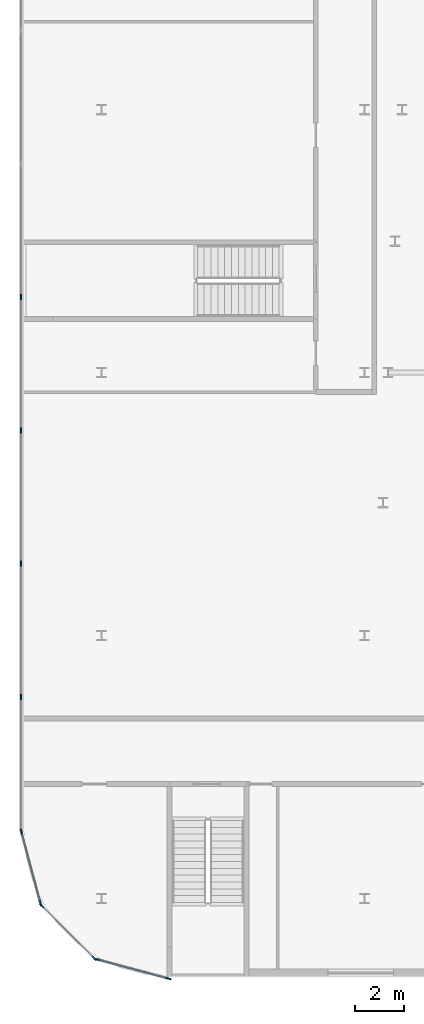
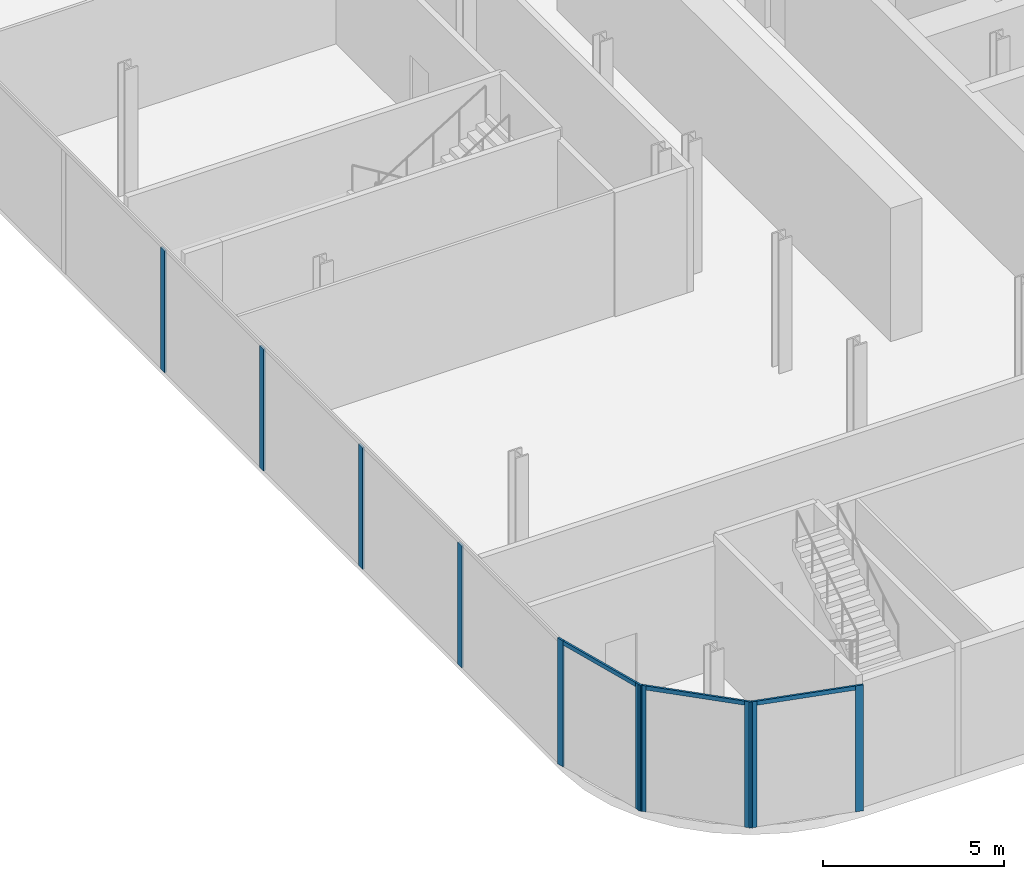
# One storey, part 6 of 47: 13 members, 4 elements without a shape of their own.
"""IFC4 building model written with IfcOpenShell, lengths in metres."""

from ifc_helpers import new_model, si_unit, direction, frame, origin, origin_2d, place, context, subcontext, project, spatial, rectangle, extrude, material, layer, layer_set, material_profile, profile_set, type_object, element, aggregate, save


model = new_model("IFC4")

# Units and contexts
model_context = context("Model", 3, precision=1e-05, world=origin(), true_north=direction((0.0, 1.0)))
body_context = subcontext(model_context, "Body", "Model", "MODEL_VIEW")
ifc_project = project(units=[si_unit("LENGTHUNIT", "METRE"), si_unit("AREAUNIT", "SQUARE_METRE"), si_unit("VOLUMEUNIT", "CUBIC_METRE"), si_unit("PLANEANGLEUNIT", "RADIAN"), si_unit("MASSUNIT", "GRAM", prefix="KILO")], contexts=[model_context])

# Site, building, storey
site_placement = place(None, origin())
site = spatial("IfcSite", under=ifc_project, at=site_placement, CompositionType="ELEMENT")
building_placement = place(site_placement, origin())
building = spatial("IfcBuilding", under=site, at=building_placement, Name="Kheshtan School and Residences Tower", CompositionType="ELEMENT")
storey_placement = place(building_placement, frame((0.0, 0.0, 12.5)))
storey = spatial("IfcBuildingStorey", under=building, at=storey_placement, Name="L02", CompositionType="ELEMENT", Elevation=12.5)

# Curtain wall, members
ifc_material_1 = material(Name="Clear low-e glass in thermally broken aluminium frame", Category="aluminium")
ifc_layer = layer(ifc_material_1, 0.22509765625)
ifc_layer_set = layer_set([ifc_layer], Name="Curtain wall CW-P")
curtain_wall_type = type_object("IfcCurtainWallType", Name="Curtain wall CW-P", PredefinedType="NOTDEFINED", material=ifc_layer_set)
curtain_wall_1_placement = place(storey_placement, origin())
curtain_wall_1 = element("IfcCurtainWall", 1, at=curtain_wall_1_placement, inside=storey, type_object=curtain_wall_type, Name="Curtain wall CWP13a", PredefinedType="NOTDEFINED")
ifc_material_2 = material(Name="Thermally broken aluminium, dark bronze anodised", Category="aluminium")
ifc_material_profile_1 = material_profile(ifc_material_2, rectangle(XDim=0.06005859375, YDim=0.22509765625, at=origin_2d()), Name="CW-P mullion 60x225")
ifc_profile_set_1 = profile_set([ifc_material_profile_1], Name="Thermally broken aluminium, dark bronze anodised")
member_type_1 = type_object("IfcMemberType", Name="CW-P mullion 60x225", PredefinedType="MULLION", material=ifc_profile_set_1)
member_1_placement = place(storey_placement, frame((17.945068359375, 9.9111328125, 0.0), z_axis=(0.0, 0.0, 1.0), x_axis=(-0.258864833085, -0.965913556273, 0.0)))
member_1 = element("IfcMember", 2, at=member_1_placement, type_object=member_type_1, Name="CWP13a mullion 1", PredefinedType="MULLION", context=body_context, shape_type="SweptSolid", body=[
    extrude(rectangle(XDim=0.06005859375, YDim=0.22509765625, at=origin_2d()), origin(), (0.0, 0.0, 1.0), 4.25),
])
member_2_placement = place(storey_placement, frame((15.003173828125, 10.69970703125, 0.0), z_axis=(0.0, 0.0, 1.0), x_axis=(-0.258864833085, -0.965913556273, 0.0)))
member_2 = element("IfcMember", 3, at=member_2_placement, type_object=member_type_1, Name="CWP13a mullion 2", PredefinedType="MULLION", context=body_context, shape_type="SweptSolid", body=[
    extrude(rectangle(XDim=0.06005859375, YDim=0.22509765625, at=origin_2d()), origin(), (0.0, 0.0, 1.0), 4.25),
])

curtain_wall_2_placement = place(storey_placement, origin())
curtain_wall_2 = element("IfcCurtainWall", 4, at=curtain_wall_2_placement, inside=storey, type_object=curtain_wall_type, Name="Curtain wall CWP14a", PredefinedType="NOTDEFINED")
member_3_placement = place(storey_placement, frame((14.907958984375, 10.75439453125, 0.0), z_axis=(0.0, 0.0, 1.0), x_axis=(-0.707106781187, -0.707106781187, 0.0)))
member_3 = element("IfcMember", 5, at=member_3_placement, type_object=member_type_1, Name="CWP14a mullion 1", PredefinedType="MULLION", context=body_context, shape_type="SweptSolid", body=[
    extrude(rectangle(XDim=0.06005859375, YDim=0.22509765625, at=origin_2d()), origin(), (0.0, 0.0, 1.0), 4.25),
])
member_4_placement = place(storey_placement, frame((12.75439453125, 12.907958984375, 0.0), z_axis=(0.0, 0.0, 1.0), x_axis=(-0.707106781187, -0.707106781187, 0.0)))
member_4 = element("IfcMember", 6, at=member_4_placement, type_object=member_type_1, Name="CWP14a mullion 2", PredefinedType="MULLION", context=body_context, shape_type="SweptSolid", body=[
    extrude(rectangle(XDim=0.06005859375, YDim=0.22509765625, at=origin_2d()), origin(), (0.0, 0.0, 1.0), 4.25),
])

curtain_wall_3_placement = place(storey_placement, origin())
curtain_wall_3 = element("IfcCurtainWall", 7, at=curtain_wall_3_placement, inside=storey, type_object=curtain_wall_type, Name="Curtain wall CWP15a", PredefinedType="NOTDEFINED")
member_5_placement = place(storey_placement, frame((12.69970703125, 13.003173828125, 0.0), z_axis=(0.0, 0.0, 1.0), x_axis=(-0.965913556273, -0.258864833085, 0.0)))
member_5 = element("IfcMember", 8, at=member_5_placement, type_object=member_type_1, Name="CWP15a mullion 1", PredefinedType="MULLION", context=body_context, shape_type="SweptSolid", body=[
    extrude(rectangle(XDim=0.06005859375, YDim=0.22509765625, at=origin_2d()), origin(), (0.0, 0.0, 1.0), 4.25),
])
member_6_placement = place(storey_placement, frame((11.9111328125, 15.945068359375, 0.0), z_axis=(0.0, 0.0, 1.0), x_axis=(-0.965913556273, -0.258864833085, 0.0)))
member_6 = element("IfcMember", 9, at=member_6_placement, type_object=member_type_1, Name="CWP15a mullion 2", PredefinedType="MULLION", context=body_context, shape_type="SweptSolid", body=[
    extrude(rectangle(XDim=0.06005859375, YDim=0.22509765625, at=origin_2d()), origin(), (0.0, 0.0, 1.0), 4.25),
])

curtain_wall_4_placement = place(storey_placement, origin())
curtain_wall_4 = element("IfcCurtainWall", 10, at=curtain_wall_4_placement, inside=storey, type_object=curtain_wall_type, Name="Curtain wall CWP16a", PredefinedType="NOTDEFINED")
member_7_placement = place(storey_placement, frame((11.89990234375, 21.4755859375, 0.0), z_axis=(0.0, 0.0, 1.0), x_axis=(-1.0, 0.0, 0.0)))
member_7 = element("IfcMember", 11, at=member_7_placement, type_object=member_type_1, Name="CWP16a mullion 2", PredefinedType="MULLION", context=body_context, shape_type="SweptSolid", body=[
    extrude(rectangle(XDim=0.06005859375, YDim=0.22509765625, at=origin_2d()), origin(), (0.0, 0.0, 1.0), 4.110107421875),
])
member_8_placement = place(storey_placement, frame((11.89990234375, 26.951171875, 0.0), z_axis=(0.0, 0.0, 1.0), x_axis=(-1.0, 0.0, 0.0)))
member_8 = element("IfcMember", 12, at=member_8_placement, type_object=member_type_1, Name="CWP16a mullion 3", PredefinedType="MULLION", context=body_context, shape_type="SweptSolid", body=[
    extrude(rectangle(XDim=0.06005859375, YDim=0.22509765625, at=origin_2d()), origin(), (0.0, 0.0, 1.0), 4.110107421875),
])
member_9_placement = place(storey_placement, frame((11.89990234375, 32.4267578125, 0.0), z_axis=(0.0, 0.0, 1.0), x_axis=(-1.0, 0.0, 0.0)))
member_9 = element("IfcMember", 13, at=member_9_placement, type_object=member_type_1, Name="CWP16a mullion 4", PredefinedType="MULLION", context=body_context, shape_type="SweptSolid", body=[
    extrude(rectangle(XDim=0.06005859375, YDim=0.22509765625, at=origin_2d()), origin(), (0.0, 0.0, 1.0), 4.110107421875),
])
member_10_placement = place(storey_placement, frame((11.89990234375, 37.90234375, 0.0), z_axis=(0.0, 0.0, 1.0), x_axis=(-1.0, 0.0, 0.0)))
member_10 = element("IfcMember", 14, at=member_10_placement, type_object=member_type_1, Name="CWP16a mullion 5", PredefinedType="MULLION", context=body_context, shape_type="SweptSolid", body=[
    extrude(rectangle(XDim=0.06005859375, YDim=0.22509765625, at=origin_2d()), origin(), (0.0, 0.0, 1.0), 4.110107421875),
])
aggregate(curtain_wall_4, [member_7, member_8, member_9, member_10])

# Member
ifc_material_profile_2 = material_profile(ifc_material_2, rectangle(XDim=0.06005859375, YDim=0.139892578125, at=origin_2d()), Name="CW-P transom 60x140")
ifc_profile_set_2 = profile_set([ifc_material_profile_2], Name="Thermally broken aluminium, dark bronze anodised")
member_type_2 = type_object("IfcMemberType", Name="CW-P transom 60x140", PredefinedType="USERDEFINED", material=ifc_profile_set_2)
member_11_placement = place(storey_placement, frame((17.916259765625, 9.9189453125, 4.179931640625), z_axis=(-0.965916663607, 0.258853238275, 0.0), x_axis=(-0.258853238275, -0.965916663607, 0.0)))
member_11 = element("IfcMember", 15, at=member_11_placement, type_object=member_type_2, Name="CWP13a transom 1", ObjectType="TRANSOM", PredefinedType="USERDEFINED", context=body_context, shape_type="SweptSolid", body=[
    extrude(rectangle(XDim=0.06005859375, YDim=0.139892578125, at=origin_2d()), origin(), (0.0, 0.0, 1.0), 2.986083984375),
])

aggregate(curtain_wall_1, [member_1, member_2, member_11])

member_12_placement = place(storey_placement, frame((14.886962890625, 10.775634765625, 4.179931640625), z_axis=(-0.707106781187, 0.707106781187, 0.0), x_axis=(-0.707106781187, -0.707106781187, 0.0)))
member_12 = element("IfcMember", 16, at=member_12_placement, type_object=member_type_2, Name="CWP14a transom 1", ObjectType="TRANSOM", PredefinedType="USERDEFINED", context=body_context, shape_type="SweptSolid", body=[
    extrude(rectangle(XDim=0.06005859375, YDim=0.139892578125, at=origin_2d()), origin(), (0.0, 0.0, 1.0), 2.98583984375),
])

aggregate(curtain_wall_2, [member_3, member_4, member_12])

member_13_placement = place(storey_placement, frame((12.69189453125, 13.031982421875, 4.179931640625), z_axis=(-0.258853238275, 0.965916663607, 0.0), x_axis=(-0.965916663607, -0.258853238275, 0.0)))
member_13 = element("IfcMember", 17, at=member_13_placement, type_object=member_type_2, Name="CWP15a transom 1", ObjectType="TRANSOM", PredefinedType="USERDEFINED", context=body_context, shape_type="SweptSolid", body=[
    extrude(rectangle(XDim=0.06005859375, YDim=0.139892578125, at=origin_2d()), origin(), (0.0, 0.0, 1.0), 2.986083984375),
])

aggregate(curtain_wall_3, [member_5, member_6, member_13])

save(model, "model.ifc")
